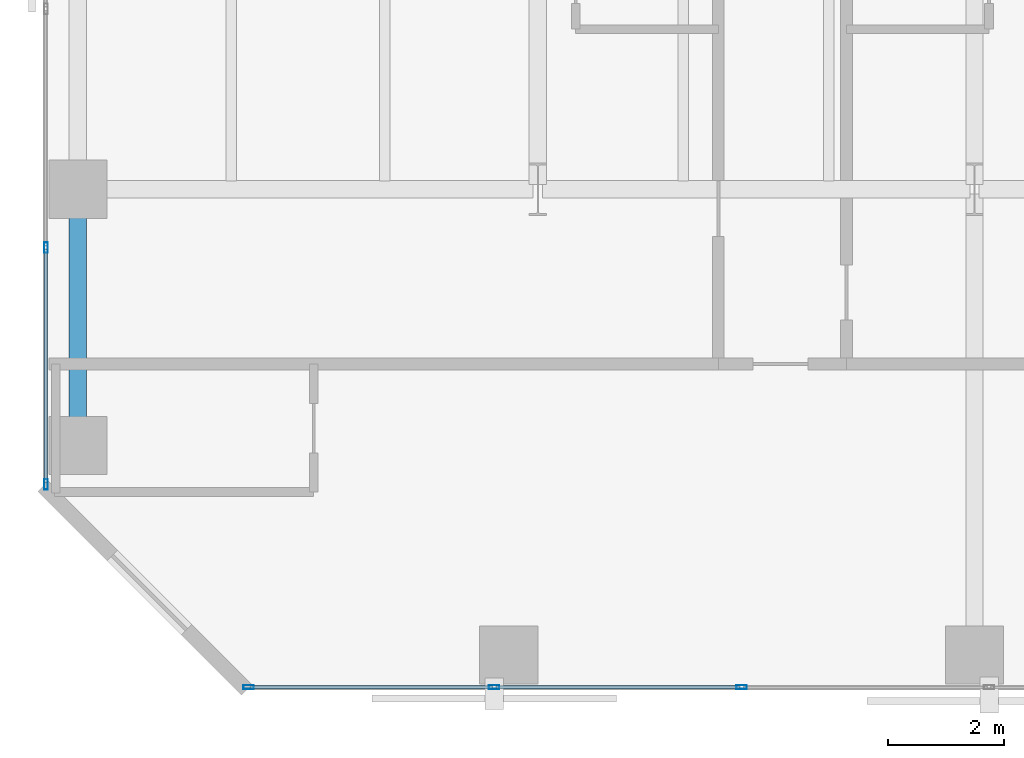
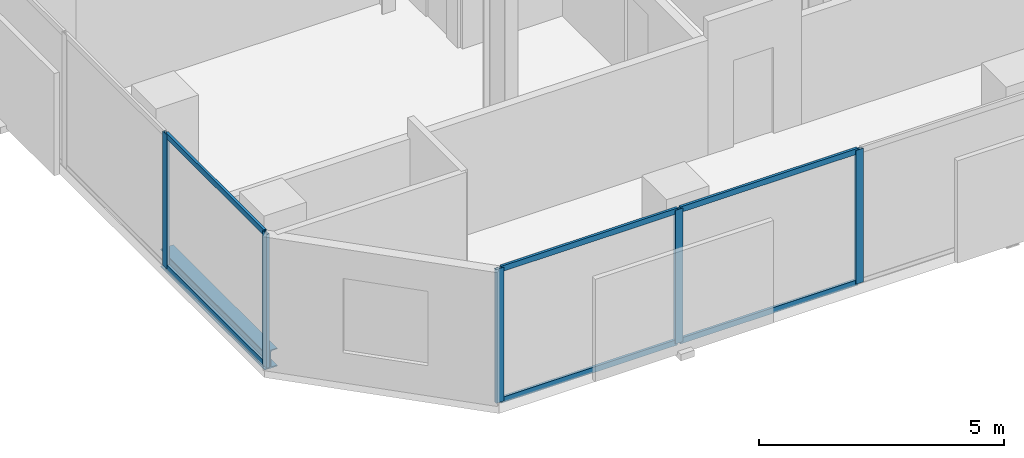
# One storey, part 2 of 32: 11 members, 1 beam, 2 elements without a shape of their own.
"""IFC4 building model written with IfcOpenShell, lengths in metres."""

from ifc_helpers import new_model, si_unit, direction, frame, origin, origin_2d, place, context, subcontext, project, spatial, hollow_rectangle, i_section, extrude, material, layer, layer_set, material_profile, profile_set, type_object, element, aggregate, save


model = new_model("IFC4")

# Units and contexts
model_context = context("Model", 3, precision=1e-05, world=origin(), true_north=direction((0.0, 1.0)))
body_context = subcontext(model_context, "Body", "Model", "MODEL_VIEW")
ifc_project = project(units=[si_unit("LENGTHUNIT", "METRE"), si_unit("AREAUNIT", "SQUARE_METRE"), si_unit("VOLUMEUNIT", "CUBIC_METRE"), si_unit("PLANEANGLEUNIT", "RADIAN"), si_unit("MASSUNIT", "GRAM", prefix="KILO")], contexts=[model_context])

# Site, building, storey
site_placement = place(None, origin())
site = spatial("IfcSite", under=ifc_project, at=site_placement, CompositionType="ELEMENT")
building_placement = place(site_placement, origin())
building = spatial("IfcBuilding", under=site, at=building_placement, Name="Catumbela Crestline Tower", CompositionType="ELEMENT")
storey_placement = place(building_placement, frame((0.0, 0.0, 29.4)))
storey = spatial("IfcBuildingStorey", under=building, at=storey_placement, Name="L06", CompositionType="ELEMENT", Elevation=29.4)

# Curtain wall, members
ifc_material_1 = material(Name="Aluminium alloy AW-6060-T66", Category="aluminium")
ifc_layer = layer(ifc_material_1, 0.18, Name="Aluminium alloy AW-6060-T66")
ifc_layer_set = layer_set([ifc_layer], Name="Aluminium alloy AW-6060-T66")
curtain_wall_type = type_object("IfcCurtainWallType", Name="CWU-Z1", PredefinedType="USERDEFINED", material=ifc_layer_set)
curtain_wall_1_placement = place(storey_placement, origin())
curtain_wall_1 = element("IfcCurtainWall", 1, at=curtain_wall_1_placement, inside=storey, type_object=curtain_wall_type, Name="L06 Unitised Curtain Wall CW-L06-E0S1", ObjectType="UNITISED", PredefinedType="USERDEFINED")
ifc_material_profile_1 = material_profile(ifc_material_1, hollow_rectangle(XDim=0.065, YDim=0.18, WallThickness=0.004, at=origin_2d()), Name="ALU 180x65x4")
ifc_profile_set_1 = profile_set([ifc_material_profile_1], Name="Aluminium alloy AW-6060-T66")
member_type_1 = type_object("IfcMemberType", Name="MUL-180X65", PredefinedType="MULLION", material=ifc_profile_set_1)
member_1_placement = place(storey_placement, frame((3.5325, 0.05, 0.0), z_axis=(0.0, 0.0, 1.0), x_axis=(0.0, 1.0, 0.0)))
member_1 = element("IfcMember", 2, at=member_1_placement, type_object=member_type_1, Name="CWU-Z1 mullion 1", PredefinedType="MULLION", context=body_context, shape_type="SweptSolid", body=[
    extrude(hollow_rectangle(XDim=0.065, YDim=0.18, WallThickness=0.004, at=origin_2d()), origin(), (0.0, 0.0, 1.0), 3.33),
])
member_2_placement = place(storey_placement, frame((7.75, 0.05, 0.0), z_axis=(0.0, 0.0, 1.0), x_axis=(0.0, 1.0, 0.0)))
member_2 = element("IfcMember", 3, at=member_2_placement, type_object=member_type_1, Name="CWU-Z1 mullion 2", PredefinedType="MULLION", context=body_context, shape_type="SweptSolid", body=[
    extrude(hollow_rectangle(XDim=0.065, YDim=0.18, WallThickness=0.004, at=origin_2d()), origin(), (0.0, 0.0, 1.0), 3.33),
])
member_3_placement = place(storey_placement, frame((12.0, 0.05, 0.0), z_axis=(0.0, 0.0, 1.0), x_axis=(0.0, 1.0, 0.0)))
member_3 = element("IfcMember", 4, at=member_3_placement, type_object=member_type_1, Name="CWU-Z1 mullion 3", PredefinedType="MULLION", context=body_context, shape_type="SweptSolid", body=[
    extrude(hollow_rectangle(XDim=0.065, YDim=0.18, WallThickness=0.004, at=origin_2d()), origin(), (0.0, 0.0, 1.0), 3.33),
])

curtain_wall_2_placement = place(storey_placement, origin())
curtain_wall_2 = element("IfcCurtainWall", 5, at=curtain_wall_2_placement, inside=storey, type_object=curtain_wall_type, Name="L06 Unitised Curtain Wall CW-L06-E9S1", ObjectType="UNITISED", PredefinedType="USERDEFINED")
member_4_placement = place(storey_placement, frame((0.05, 7.6, 0.0), z_axis=(0.0, 0.0, 1.0), x_axis=(1.0, 0.0, 0.0)))
member_4 = element("IfcMember", 6, at=member_4_placement, type_object=member_type_1, Name="CWU-Z1 mullion 10", PredefinedType="MULLION", context=body_context, shape_type="SweptSolid", body=[
    extrude(hollow_rectangle(XDim=0.065, YDim=0.18, WallThickness=0.004, at=origin_2d()), origin(), (0.0, 0.0, 1.0), 3.33),
])
member_5_placement = place(storey_placement, frame((0.05, 3.5325, 0.0), z_axis=(0.0, 0.0, 1.0), x_axis=(1.0, 0.0, 0.0)))
member_5 = element("IfcMember", 7, at=member_5_placement, type_object=member_type_1, Name="CWU-Z1 mullion 11", PredefinedType="MULLION", context=body_context, shape_type="SweptSolid", body=[
    extrude(hollow_rectangle(XDim=0.065, YDim=0.18, WallThickness=0.004, at=origin_2d()), origin(), (0.0, 0.0, 1.0), 3.33),
])

# Beam
ifc_material_2 = material(Name="Structural steel S355J2", Category="steel")
ifc_material_profile_2 = material_profile(ifc_material_2, i_section(OverallWidth=0.3, OverallDepth=0.45, WebThickness=0.014, FlangeThickness=0.026, FilletRadius=0.027, at=origin_2d()), Name="HEB 450")
ifc_profile_set_2 = profile_set([ifc_material_profile_2], Name="Structural steel S355J2")
beam_type = type_object("IfcBeamType", Name="BS-HEB450", PredefinedType="SPANDREL", material=ifc_profile_set_2)
beam_placement = place(storey_placement, frame((0.6, 4.28, -0.485), z_axis=(0.0, 1.0, 0.0), x_axis=(-1.0, 0.0, 0.0)))
element("IfcBeam", 8, at=beam_placement, inside=storey, type_object=beam_type, Name="L06 Spandrel SP-L06-WNS57", PredefinedType="SPANDREL", context=body_context, shape_type="SweptSolid", body=[
    extrude(i_section(OverallWidth=0.3, OverallDepth=0.45, WebThickness=0.014, FlangeThickness=0.026, FilletRadius=0.027, at=origin_2d()), origin(), (0.0, 0.0, 1.0), 4.24),
])

# Member
ifc_material_profile_3 = material_profile(ifc_material_1, hollow_rectangle(XDim=0.06, YDim=0.14, WallThickness=0.004, at=origin_2d()), Name="ALU 140x60x4")
ifc_profile_set_3 = profile_set([ifc_material_profile_3], Name="Aluminium alloy AW-6060-T66")
member_type_2 = type_object("IfcMemberType", Name="TRN-140X60", PredefinedType="USERDEFINED", material=ifc_profile_set_3)
member_6_placement = place(storey_placement, frame((3.565, 0.05, 0.03), z_axis=(1.0, 0.0, 0.0), x_axis=(0.0, 1.0, 0.0)))
member_6 = element("IfcMember", 9, at=member_6_placement, type_object=member_type_2, Name="CWU-Z1 transom 1.1", ObjectType="TRANSOM", PredefinedType="USERDEFINED", context=body_context, shape_type="SweptSolid", body=[
    extrude(hollow_rectangle(XDim=0.06, YDim=0.14, WallThickness=0.004, at=origin_2d()), origin(), (0.0, 0.0, 1.0), 4.1525),
])

member_7_placement = place(storey_placement, frame((3.565, 0.05, 3.3), z_axis=(1.0, 0.0, 0.0), x_axis=(0.0, 1.0, 0.0)))
member_7 = element("IfcMember", 10, at=member_7_placement, type_object=member_type_2, Name="CWU-Z1 transom 1.2", ObjectType="TRANSOM", PredefinedType="USERDEFINED", context=body_context, shape_type="SweptSolid", body=[
    extrude(hollow_rectangle(XDim=0.06, YDim=0.14, WallThickness=0.004, at=origin_2d()), origin(), (0.0, 0.0, 1.0), 4.1525),
])

member_8_placement = place(storey_placement, frame((7.7825, 0.05, 0.03), z_axis=(1.0, 0.0, 0.0), x_axis=(0.0, 1.0, 0.0)))
member_8 = element("IfcMember", 11, at=member_8_placement, type_object=member_type_2, Name="CWU-Z1 transom 2.1", ObjectType="TRANSOM", PredefinedType="USERDEFINED", context=body_context, shape_type="SweptSolid", body=[
    extrude(hollow_rectangle(XDim=0.06, YDim=0.14, WallThickness=0.004, at=origin_2d()), origin(), (0.0, 0.0, 1.0), 4.185),
])

member_9_placement = place(storey_placement, frame((7.7825, 0.05, 3.3), z_axis=(1.0, 0.0, 0.0), x_axis=(0.0, 1.0, 0.0)))
member_9 = element("IfcMember", 12, at=member_9_placement, type_object=member_type_2, Name="CWU-Z1 transom 2.2", ObjectType="TRANSOM", PredefinedType="USERDEFINED", context=body_context, shape_type="SweptSolid", body=[
    extrude(hollow_rectangle(XDim=0.06, YDim=0.14, WallThickness=0.004, at=origin_2d()), origin(), (0.0, 0.0, 1.0), 4.185),
])

aggregate(curtain_wall_1, [member_1, member_2, member_3, member_6, member_7, member_8, member_9])

member_10_placement = place(storey_placement, frame((0.05, 7.5675, 0.03), z_axis=(0.0, -1.0, 0.0), x_axis=(1.0, 0.0, 0.0)))
member_10 = element("IfcMember", 13, at=member_10_placement, type_object=member_type_2, Name="CWU-Z1 transom 10.1", ObjectType="TRANSOM", PredefinedType="USERDEFINED", context=body_context, shape_type="SweptSolid", body=[
    extrude(hollow_rectangle(XDim=0.06, YDim=0.14, WallThickness=0.004, at=origin_2d()), origin(), (0.0, 0.0, 1.0), 4.0025),
])

member_11_placement = place(storey_placement, frame((0.05, 7.5675, 3.3), z_axis=(0.0, -1.0, 0.0), x_axis=(1.0, 0.0, 0.0)))
member_11 = element("IfcMember", 14, at=member_11_placement, type_object=member_type_2, Name="CWU-Z1 transom 10.2", ObjectType="TRANSOM", PredefinedType="USERDEFINED", context=body_context, shape_type="SweptSolid", body=[
    extrude(hollow_rectangle(XDim=0.06, YDim=0.14, WallThickness=0.004, at=origin_2d()), origin(), (0.0, 0.0, 1.0), 4.0025),
])

aggregate(curtain_wall_2, [member_4, member_5, member_10, member_11])

save(model, "model.ifc")
